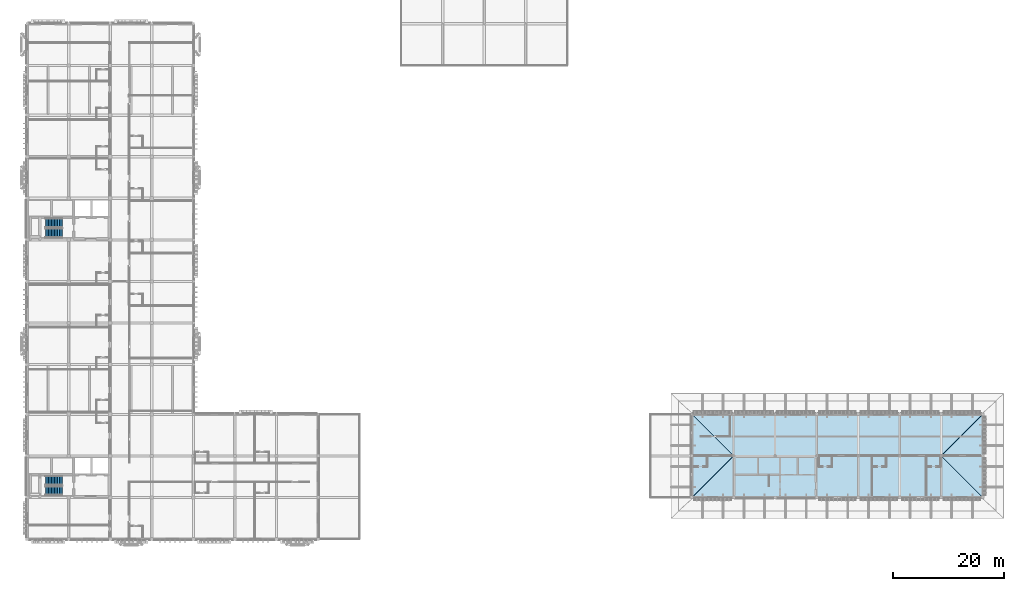
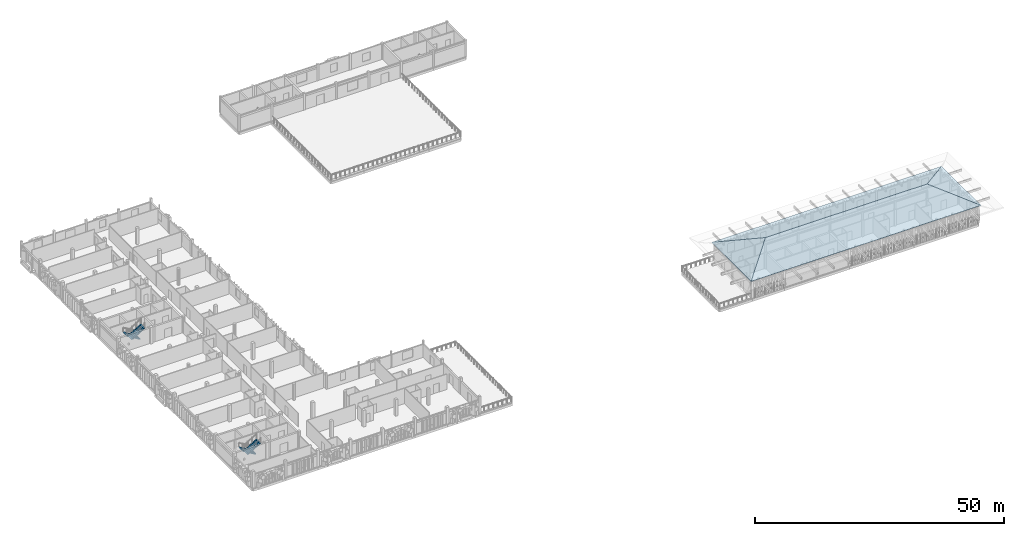
# One storey, part 20 of 33: 4 roofs, 4 stair flights, 2 elements without a shape of their own.
"""IFC4 building model written with IfcOpenShell, lengths in metres."""

import ifcopenshell
import ifcopenshell.guid

model = None  # the IFC model being written
_history = None  # IfcOwnerHistory: only IFC2X3 demands one
_inside = {}  # id of a spatial element -> (the spatial element, [elements in it])
_under = {}  # id of a project, library or spatial element -> (it, [spatial elements below it])
_declared = {}  # id of a project -> (the project, [libraries it declares])
_typed = {}  # id of a type object -> (the type object, [elements of that type])
_made_of = {}  # id of a material, layer set ... -> (it, [elements and type objects made of it])


def new_model(schema):
    """Start an empty IFC model of exactly this schema.

    Asked for "IFC4X3", IfcOpenShell would pick the latest addendum, in which some entities
    have other attributes; the version numbers below select the first issue.
    IFC2X3 requires an IfcOwnerHistory on every rooted entity: one is made here for all.
    """
    global model, _history
    if schema == "IFC4X3":
        model = ifcopenshell.file(schema_version=(4, 3, 0, 0))
    else:
        model = ifcopenshell.file(schema=schema)
    _inside.clear()
    _under.clear()
    _declared.clear()
    _typed.clear()
    _made_of.clear()
    _history = None
    if model.schema == "IFC2X3":
        org = make("IfcOrganization", Name="unknown")
        user = make(
            "IfcPersonAndOrganization",
            ThePerson=make("IfcPerson", FamilyName="unknown"),
            TheOrganization=org,
        )
        app = make(
            "IfcApplication",
            ApplicationDeveloper=org,
            Version="unknown",
            ApplicationFullName="unknown",
            ApplicationIdentifier="unknown",
        )
        _history = make(
            "IfcOwnerHistory",
            OwningUser=user,
            OwningApplication=app,
            ChangeAction="ADDED",
            CreationDate=0,
        )
    return model


def make(cls, **values):
    """One entity of the class cls with the attributes given. An attribute that is None is left unset."""
    return model.create_entity(
        cls, **{name: value for name, value in values.items() if value is not None}
    )


def rooted(cls, **values):
    """An entity with a GlobalId (a new one), such as an element, a storey or a relation."""
    return make(cls, GlobalId=ifcopenshell.guid.new(), OwnerHistory=_history, **values)


def si_unit(unit_type, name, prefix=None):
    """IfcSIUnit, for example si_unit("LENGTHUNIT", "METRE", prefix="MILLI")."""
    return make("IfcSIUnit", UnitType=unit_type, Prefix=prefix, Name=name)


def assignment(units):
    """IfcUnitAssignment: the units of a project."""
    return None if units is None else make("IfcUnitAssignment", Units=units)


def point(xyz):
    """IfcCartesianPoint."""
    return None if xyz is None else make("IfcCartesianPoint", Coordinates=xyz)


def direction(xyz):
    """IfcDirection."""
    return None if xyz is None else make("IfcDirection", DirectionRatios=xyz)


def frame(location, z_axis=None, x_axis=None):
    """IfcAxis2Placement3D, a coordinate frame: its origin and axes. An axis left out is left unset."""
    return make(
        "IfcAxis2Placement3D",
        Location=point(location),
        Axis=direction(z_axis),
        RefDirection=direction(x_axis),
    )


def origin():
    """The frame at (0, 0, 0) with its axes left unset."""
    return frame((0.0, 0.0, 0.0))


def place(relative_to, where):
    """IfcLocalPlacement: puts the frame where relative to a parent placement (None: the world)."""
    return make(
        "IfcLocalPlacement", PlacementRelTo=relative_to, RelativePlacement=where
    )


def context(
    kind, dimensions, precision=None, world=None, true_north=None, identifier=None
):
    """IfcGeometricRepresentationContext, for example the 3D "Model" context."""
    return make(
        "IfcGeometricRepresentationContext",
        ContextIdentifier=identifier,
        ContextType=kind,
        CoordinateSpaceDimension=dimensions,
        Precision=precision,
        WorldCoordinateSystem=world,
        TrueNorth=true_north,
    )


def subcontext(parent, identifier, kind, view, scale=None):
    """IfcGeometricRepresentationSubContext, for example "Body" below "Model"."""
    return make(
        "IfcGeometricRepresentationSubContext",
        ContextIdentifier=identifier,
        ContextType=kind,
        ParentContext=parent,
        TargetScale=scale,
        TargetView=view,
    )


def project(units=None, contexts=None):
    """IfcProject with its units and contexts."""
    return rooted(
        "IfcProject",
        Name="project",
        RepresentationContexts=contexts,
        UnitsInContext=assignment(units),
    )


def spatial(cls, under=None, at=None, **own):
    """A site, building, storey or space (cls), placed at a placement, below another one or the project."""
    s = rooted(cls, ObjectPlacement=at, **own)
    if under is not None:
        _under.setdefault(under.id(), (under, []))[1].append(s)
    return s


def polyline(points):
    """IfcPolyline through the points."""
    return make("IfcPolyline", Points=[point(p) for p in points])


def outline(outer, holes=None, kind="AREA"):
    """IfcArbitraryClosedProfileDef: a profile drawn as a closed curve; with holes, ...WithVoids."""
    if holes is None:
        return make("IfcArbitraryClosedProfileDef", ProfileType=kind, OuterCurve=outer)
    return make(
        "IfcArbitraryProfileDefWithVoids",
        ProfileType=kind,
        OuterCurve=outer,
        InnerCurves=holes,
    )


def extrude(swept, where, along, depth):
    """IfcExtrudedAreaSolid: the profile swept, set in the frame where, extruded along a direction by depth."""
    return make(
        "IfcExtrudedAreaSolid",
        SweptArea=swept,
        Position=where,
        ExtrudedDirection=direction(along),
        Depth=depth,
    )


def shape(context_of_items, identifier, shape_type, items):
    """IfcShapeRepresentation: the items that make up one representation, for example the "Body"."""
    return make(
        "IfcShapeRepresentation",
        ContextOfItems=context_of_items,
        RepresentationIdentifier=identifier,
        RepresentationType=shape_type,
        Items=items,
    )


def material(Name=None, Category=None):
    """IfcMaterial."""
    return make("IfcMaterial", Name=Name, Category=Category)


def layer(
    of_material, thickness, ventilated=None, Name=None, Category=None, Priority=None
):
    """IfcMaterialLayer: one layer of a wall or slab, of a material (None: an air gap)."""
    return make(
        "IfcMaterialLayer",
        Material=of_material,
        LayerThickness=thickness,
        IsVentilated=ventilated,
        Name=Name,
        Category=Category,
        Priority=Priority,
    )


def layer_set(layers, Name=None):
    """IfcMaterialLayerSet."""
    return make("IfcMaterialLayerSet", MaterialLayers=layers, LayerSetName=Name)


def made_of(thing, what):
    """Note that an element or type object is made of a material, layer set ...; save() writes the relation."""
    if what is not None:
        _made_of.setdefault(what.id(), (what, []))[1].append(thing)
    return thing


def type_object(cls, material=None, **own):
    """A type object (cls), such as IfcWallType, which elements share."""
    return made_of(rooted(cls, **own), material)


def element(
    cls,
    number,
    at=None,
    inside=None,
    cuts=None,
    type_object=None,
    material=None,
    context=None,
    identifier="Body",
    shape_type=None,
    held_by="IfcProductDefinitionShape",
    body=None,
    shapes=None,
    **own,
):
    """One element of the class cls, such as IfcWall. Its Tag is "e" and its number.

    at: its placement. inside: the storey or other place that contains it. cuts: it is an
    opening in that element (IfcRelVoidsElement). A single representation is given by context,
    identifier, shape_type and body (its items); several are given by shapes. held_by: the class
    of the entity that holds the representations. save() writes the other relations.
    """
    e = rooted(cls, Tag="e%d" % number, ObjectPlacement=at, **own)
    if body is not None:
        shapes = [shape(context, identifier, shape_type, body)]
    if shapes is not None:
        e.Representation = make(held_by, Representations=shapes)
    if inside is not None:
        _inside.setdefault(inside.id(), (inside, []))[1].append(e)
    if cuts is not None:
        rooted(
            "IfcRelVoidsElement", RelatingBuildingElement=cuts, RelatedOpeningElement=e
        )
    if type_object is not None:
        _typed.setdefault(type_object.id(), (type_object, []))[1].append(e)
    return made_of(e, material)


def aggregate(whole, parts):
    """IfcRelAggregates: a whole, such as a stair, and the parts it consists of."""
    return rooted("IfcRelAggregates", RelatingObject=whole, RelatedObjects=parts)


def save(model, path):
    """Write the relations noted so far, then the file.

    IfcRelAggregates (storeys below a building ...), IfcRelContainedInSpatialStructure (elements
    in a storey), IfcRelDefinesByType, IfcRelAssociatesMaterial and IfcRelDeclares: one each for
    every whole, place, type object, material and project.
    """
    for whole, parts in _under.values():
        aggregate(whole, parts)
    for where, things in _inside.values():
        rooted(
            "IfcRelContainedInSpatialStructure",
            RelatedElements=things,
            RelatingStructure=where,
        )
    for kind, things in _typed.values():
        rooted("IfcRelDefinesByType", RelatedObjects=things, RelatingType=kind)
    for what, things in _made_of.values():
        rooted("IfcRelAssociatesMaterial", RelatedObjects=things, RelatingMaterial=what)
    for by, libraries in _declared.values():
        rooted("IfcRelDeclares", RelatingContext=by, RelatedDefinitions=libraries)
    model.write(path)


model = new_model("IFC4")

# Units and contexts
model_context = context("Model", 3, precision=1e-05, world=origin(), true_north=direction((0.0, 1.0)))
body_context = subcontext(model_context, "Body", "Model", "MODEL_VIEW")
ifc_project = project(units=[si_unit("LENGTHUNIT", "METRE"), si_unit("AREAUNIT", "SQUARE_METRE"), si_unit("VOLUMEUNIT", "CUBIC_METRE"), si_unit("PLANEANGLEUNIT", "RADIAN"), si_unit("MASSUNIT", "GRAM", prefix="KILO")], contexts=[model_context])

# Site, building, storey
site_placement = place(None, origin())
site = spatial("IfcSite", under=ifc_project, at=site_placement, CompositionType="ELEMENT")
building_placement = place(site_placement, origin())
building = spatial("IfcBuilding", under=site, at=building_placement, Name="Dalvernix Boulevard General Hospital", CompositionType="ELEMENT")
storey_placement = place(building_placement, frame((0.0, 0.0, 21.89990234375)))
storey = spatial("IfcBuildingStorey", under=building, at=storey_placement, Name="L05", CompositionType="ELEMENT", Elevation=21.89990234375)

# Stair, stair flights
ifc_material_1 = material(Name="Precast concrete C40/50", Category="concrete")
stair_type = type_object("IfcStairType", Name="IFCSTAIR-STC-165x405", PredefinedType="HALF_TURN_STAIR", material=ifc_material_1)
stair_1_placement = place(storey_placement, origin())
stair_1 = element("IfcStair", 1, at=stair_1_placement, inside=storey, type_object=stair_type, Name="L05 Core C1 Exit Stair ST-01", PredefinedType="HALF_TURN_STAIR")
stair_flight_type = type_object("IfcStairFlightType", Name="IFCSTAIRFLIGHT-STF-165x405", PredefinedType="STRAIGHT", material=ifc_material_1)
stair_flight_1_placement = place(storey_placement, frame((6.35009765625, 10.574951171875, 0.0), z_axis=(0.0, 0.0, 1.0), x_axis=(-1.0, 0.0, 0.0)))
stair_flight_1 = element("IfcStairFlight", 2, at=stair_flight_1_placement, type_object=stair_flight_type, Name="ST-01 flight 1", NumberOfRisers=12, NumberOfTreads=11, PredefinedType="STRAIGHT", RiserHeight=0.16875, TreadLength=0.28, context=body_context, shape_type="SweptSolid", body=[
    extrude(outline(polyline([(0.0, 0.0), (0.0, 0.168701171875), (0.280029296875, 0.168701171875), (0.280029296875, 0.33740234375), (0.56005859375, 0.33740234375), (0.56005859375, 0.50634765625), (0.840087890625, 0.50634765625), (0.840087890625, 0.675048828125), (1.1201171875, 0.675048828125), (1.1201171875, 0.84375), (1.39990234375, 0.84375), (1.39990234375, 1.012451171875), (1.679931640625, 1.012451171875), (1.679931640625, 1.18115234375), (1.9599609375, 1.18115234375), (1.9599609375, 1.35009765625), (2.239990234375, 1.35009765625), (2.239990234375, 1.518798828125), (2.52001953125, 1.518798828125), (2.52001953125, 1.6875), (2.800048828125, 1.6875), (2.800048828125, 1.856201171875), (3.080078125, 1.856201171875), (3.080078125, 2.02490234375), (3.080078125, 1.68115234375), (0.29052734375, 0.0), (0.0, 0.0)])), frame((0.0, 0.824951171875, 0.0), z_axis=(0.0, -1.0, 0.0), x_axis=(1.0, 0.0, 0.0)), (0.0, 0.0, 1.0), 1.64990234375),
])
stair_flight_2_placement = place(storey_placement, frame((3.27001953125, 8.72509765625, 2.025146484375), z_axis=(0.0, 0.0, 1.0), x_axis=(1.0, 0.0, 0.0)))
stair_flight_2 = element("IfcStairFlight", 3, at=stair_flight_2_placement, type_object=stair_flight_type, Name="ST-01 flight 2", NumberOfRisers=12, NumberOfTreads=11, PredefinedType="STRAIGHT", RiserHeight=0.16875, TreadLength=0.28, context=body_context, shape_type="SweptSolid", body=[
    extrude(outline(polyline([(0.0, 0.0), (0.0, 0.168701171875), (0.280029296875, 0.168701171875), (0.280029296875, 0.33740234375), (0.56005859375, 0.33740234375), (0.56005859375, 0.50634765625), (0.840087890625, 0.50634765625), (0.840087890625, 0.675048828125), (1.1201171875, 0.675048828125), (1.1201171875, 0.84375), (1.39990234375, 0.84375), (1.39990234375, 1.012451171875), (1.679931640625, 1.012451171875), (1.679931640625, 1.18115234375), (1.9599609375, 1.18115234375), (1.9599609375, 1.35009765625), (2.239990234375, 1.35009765625), (2.239990234375, 1.518798828125), (2.52001953125, 1.518798828125), (2.52001953125, 1.6875), (2.800048828125, 1.6875), (2.800048828125, 1.856201171875), (3.080078125, 1.856201171875), (3.080078125, 2.02490234375), (3.080078125, 1.68115234375), (0.29052734375, 0.0), (0.0, 0.0)])), frame((0.0, 0.824951171875, 0.0), z_axis=(0.0, -1.0, 0.0), x_axis=(1.0, 0.0, 0.0)), (0.0, 0.0, 1.0), 1.64990234375),
])
aggregate(stair_1, [stair_flight_1, stair_flight_2])

stair_2_placement = place(storey_placement, origin())
stair_2 = element("IfcStair", 4, at=stair_2_placement, inside=storey, type_object=stair_type, Name="L05 Core C2 Exit Stair ST-02", PredefinedType="HALF_TURN_STAIR")
stair_flight_3_placement = place(storey_placement, frame((6.35009765625, 57.074951171875, 0.0), z_axis=(0.0, 0.0, 1.0), x_axis=(-1.0, 0.0, 0.0)))
stair_flight_3 = element("IfcStairFlight", 5, at=stair_flight_3_placement, type_object=stair_flight_type, Name="ST-02 flight 1", NumberOfRisers=12, NumberOfTreads=11, PredefinedType="STRAIGHT", RiserHeight=0.16875, TreadLength=0.28, context=body_context, shape_type="SweptSolid", body=[
    extrude(outline(polyline([(0.0, 0.0), (0.0, 0.168701171875), (0.280029296875, 0.168701171875), (0.280029296875, 0.33740234375), (0.56005859375, 0.33740234375), (0.56005859375, 0.50634765625), (0.840087890625, 0.50634765625), (0.840087890625, 0.675048828125), (1.1201171875, 0.675048828125), (1.1201171875, 0.84375), (1.39990234375, 0.84375), (1.39990234375, 1.012451171875), (1.679931640625, 1.012451171875), (1.679931640625, 1.18115234375), (1.9599609375, 1.18115234375), (1.9599609375, 1.35009765625), (2.239990234375, 1.35009765625), (2.239990234375, 1.518798828125), (2.52001953125, 1.518798828125), (2.52001953125, 1.6875), (2.800048828125, 1.6875), (2.800048828125, 1.856201171875), (3.080078125, 1.856201171875), (3.080078125, 2.02490234375), (3.080078125, 1.68115234375), (0.29052734375, 0.0), (0.0, 0.0)])), frame((0.0, 0.824951171875, 0.0), z_axis=(0.0, -1.0, 0.0), x_axis=(1.0, 0.0, 0.0)), (0.0, 0.0, 1.0), 1.64990234375),
])
stair_flight_4_placement = place(storey_placement, frame((3.27001953125, 55.22509765625, 2.025146484375), z_axis=(0.0, 0.0, 1.0), x_axis=(1.0, 0.0, 0.0)))
stair_flight_4 = element("IfcStairFlight", 6, at=stair_flight_4_placement, type_object=stair_flight_type, Name="ST-02 flight 2", NumberOfRisers=12, NumberOfTreads=11, PredefinedType="STRAIGHT", RiserHeight=0.16875, TreadLength=0.28, context=body_context, shape_type="SweptSolid", body=[
    extrude(outline(polyline([(0.0, 0.0), (0.0, 0.168701171875), (0.280029296875, 0.168701171875), (0.280029296875, 0.33740234375), (0.56005859375, 0.33740234375), (0.56005859375, 0.50634765625), (0.840087890625, 0.50634765625), (0.840087890625, 0.675048828125), (1.1201171875, 0.675048828125), (1.1201171875, 0.84375), (1.39990234375, 0.84375), (1.39990234375, 1.012451171875), (1.679931640625, 1.012451171875), (1.679931640625, 1.18115234375), (1.9599609375, 1.18115234375), (1.9599609375, 1.35009765625), (2.239990234375, 1.35009765625), (2.239990234375, 1.518798828125), (2.52001953125, 1.518798828125), (2.52001953125, 1.6875), (2.800048828125, 1.6875), (2.800048828125, 1.856201171875), (3.080078125, 1.856201171875), (3.080078125, 2.02490234375), (3.080078125, 1.68115234375), (0.29052734375, 0.0), (0.0, 0.0)])), frame((0.0, 0.824951171875, 0.0), z_axis=(0.0, -1.0, 0.0), x_axis=(1.0, 0.0, 0.0)), (0.0, 0.0, 1.0), 1.64990234375),
])
aggregate(stair_2, [stair_flight_3, stair_flight_4])

# Roofs
ifc_material_2 = material(Name="Glazed Catalan terracotta roof tile on timber boarding", Category="masonry")
ifc_layer = layer(ifc_material_2, 0.1201171875)
ifc_layer_set = layer_set([ifc_layer], Name="Glazed Catalan terracotta roof tile on timber boarding (ROOF-UPT-01)")
roof_type = type_object("IfcRoofType", Name="ROOF-UPT-01", PredefinedType="HIP_ROOF", material=ifc_layer_set)
for number, where, z_axis, x_axis, name in (
    (7, (119.60009765625, 7.10009765625, 4.330078125), (0.0, -0.375604052837, 0.926780230417), (1.0, 0.0, 0.0), "V5 steep Catalan terracotta hipped roof S"),
    (8, (172.89990234375, 22.89990234375, 4.330078125), (0.0, 0.375604052837, 0.926780230417), (-1.0, 0.0, 0.0), "V5 steep Catalan terracotta hipped roof N"),
):
    element("IfcRoof", number, at=place(storey_placement, frame(where, z_axis=z_axis, x_axis=x_axis)), inside=storey, type_object=roof_type, Name=name, PredefinedType="HIP_ROOF", context=body_context, shape_type="SweptSolid", body=[
        extrude(outline(polyline([(0.0, 0.0), (53.2998046875, 0.0), (45.39990234375, 8.524029844909363), (7.89990234375, 8.524029844909363), (0.0, 0.0)])), origin(), (0.0, 0.0, -1.0), 0.1201171875),
    ])
for number, where, z_axis, x_axis, name in (
    (9, (119.60009765625, 22.89990234375, 4.330078125), (-0.375604052837, 0.0, 0.926780230417), (0.0, -1.0, 0.0), "V5 steep Catalan terracotta hipped roof W"),
    (10, (172.89990234375, 7.10009765625, 4.330078125), (0.375604052837, 0.0, 0.926780230417), (0.0, 1.0, 0.0), "V5 steep Catalan terracotta hipped roof E"),
):
    element("IfcRoof", number, at=place(storey_placement, frame(where, z_axis=z_axis, x_axis=x_axis)), inside=storey, type_object=roof_type, Name=name, PredefinedType="HIP_ROOF", context=body_context, shape_type="SweptSolid", body=[
        extrude(outline(polyline([(0.0, 0.0), (15.7998046875, 0.0), (7.89990234375, 8.524029844909363), (0.0, 0.0)])), origin(), (0.0, 0.0, -1.0), 0.1201171875),
    ])

save(model, "model.ifc")
